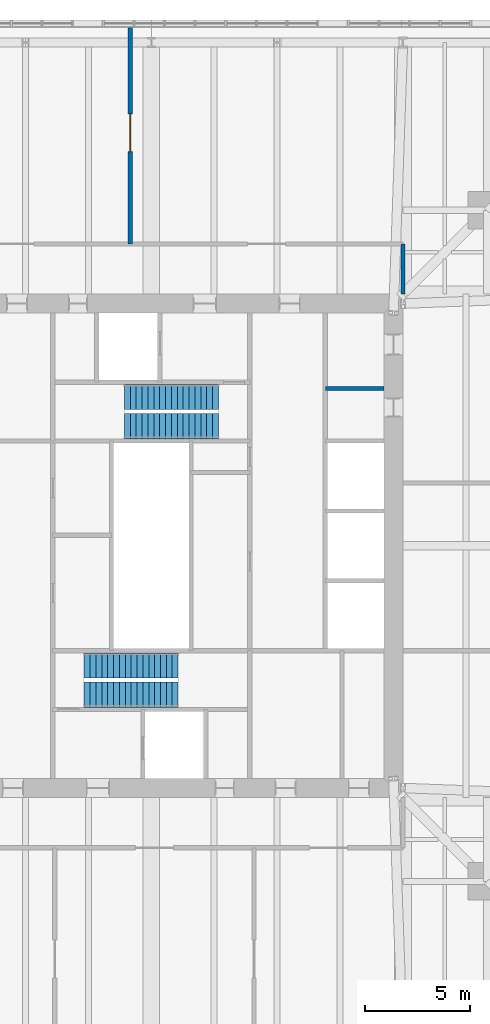
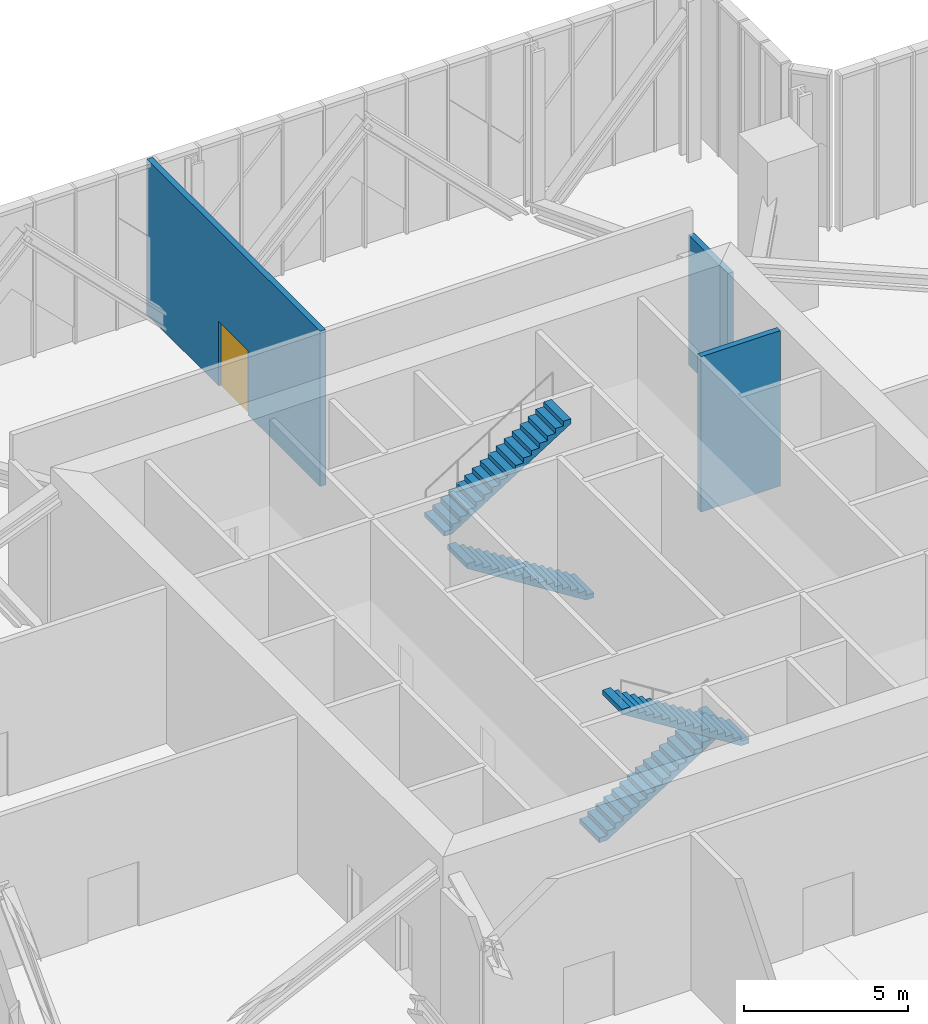
# One storey, part 13 of 18: 4 stair flights, 3 walls, 1 door, 1 opening, 2 elements without a shape of their own.
"""IFC4 building model written with IfcOpenShell, lengths in metres."""

import ifcopenshell
import ifcopenshell.guid

model = None  # the IFC model being written
_history = None  # IfcOwnerHistory: only IFC2X3 demands one
_inside = {}  # id of a spatial element -> (the spatial element, [elements in it])
_under = {}  # id of a project, library or spatial element -> (it, [spatial elements below it])
_declared = {}  # id of a project -> (the project, [libraries it declares])
_typed = {}  # id of a type object -> (the type object, [elements of that type])
_made_of = {}  # id of a material, layer set ... -> (it, [elements and type objects made of it])


def new_model(schema):
    """Start an empty IFC model of exactly this schema.

    Asked for "IFC4X3", IfcOpenShell would pick the latest addendum, in which some entities
    have other attributes; the version numbers below select the first issue.
    IFC2X3 requires an IfcOwnerHistory on every rooted entity: one is made here for all.
    """
    global model, _history
    if schema == "IFC4X3":
        model = ifcopenshell.file(schema_version=(4, 3, 0, 0))
    else:
        model = ifcopenshell.file(schema=schema)
    _inside.clear()
    _under.clear()
    _declared.clear()
    _typed.clear()
    _made_of.clear()
    _history = None
    if model.schema == "IFC2X3":
        org = make("IfcOrganization", Name="unknown")
        user = make(
            "IfcPersonAndOrganization",
            ThePerson=make("IfcPerson", FamilyName="unknown"),
            TheOrganization=org,
        )
        app = make(
            "IfcApplication",
            ApplicationDeveloper=org,
            Version="unknown",
            ApplicationFullName="unknown",
            ApplicationIdentifier="unknown",
        )
        _history = make(
            "IfcOwnerHistory",
            OwningUser=user,
            OwningApplication=app,
            ChangeAction="ADDED",
            CreationDate=0,
        )
    return model


def make(cls, **values):
    """One entity of the class cls with the attributes given. An attribute that is None is left unset."""
    return model.create_entity(
        cls, **{name: value for name, value in values.items() if value is not None}
    )


def rooted(cls, **values):
    """An entity with a GlobalId (a new one), such as an element, a storey or a relation."""
    return make(cls, GlobalId=ifcopenshell.guid.new(), OwnerHistory=_history, **values)


def si_unit(unit_type, name, prefix=None):
    """IfcSIUnit, for example si_unit("LENGTHUNIT", "METRE", prefix="MILLI")."""
    return make("IfcSIUnit", UnitType=unit_type, Prefix=prefix, Name=name)


def assignment(units):
    """IfcUnitAssignment: the units of a project."""
    return None if units is None else make("IfcUnitAssignment", Units=units)


def point(xyz):
    """IfcCartesianPoint."""
    return None if xyz is None else make("IfcCartesianPoint", Coordinates=xyz)


def direction(xyz):
    """IfcDirection."""
    return None if xyz is None else make("IfcDirection", DirectionRatios=xyz)


def frame(location, z_axis=None, x_axis=None):
    """IfcAxis2Placement3D, a coordinate frame: its origin and axes. An axis left out is left unset."""
    return make(
        "IfcAxis2Placement3D",
        Location=point(location),
        Axis=direction(z_axis),
        RefDirection=direction(x_axis),
    )


def frame_2d(location, x_axis=None):
    """IfcAxis2Placement2D, a coordinate frame in the plane: its origin and x axis."""
    return make(
        "IfcAxis2Placement2D", Location=point(location), RefDirection=direction(x_axis)
    )


def origin():
    """The frame at (0, 0, 0) with its axes left unset."""
    return frame((0.0, 0.0, 0.0))


def place(relative_to, where):
    """IfcLocalPlacement: puts the frame where relative to a parent placement (None: the world)."""
    return make(
        "IfcLocalPlacement", PlacementRelTo=relative_to, RelativePlacement=where
    )


def context(
    kind, dimensions, precision=None, world=None, true_north=None, identifier=None
):
    """IfcGeometricRepresentationContext, for example the 3D "Model" context."""
    return make(
        "IfcGeometricRepresentationContext",
        ContextIdentifier=identifier,
        ContextType=kind,
        CoordinateSpaceDimension=dimensions,
        Precision=precision,
        WorldCoordinateSystem=world,
        TrueNorth=true_north,
    )


def subcontext(parent, identifier, kind, view, scale=None):
    """IfcGeometricRepresentationSubContext, for example "Body" below "Model"."""
    return make(
        "IfcGeometricRepresentationSubContext",
        ContextIdentifier=identifier,
        ContextType=kind,
        ParentContext=parent,
        TargetScale=scale,
        TargetView=view,
    )


def project(units=None, contexts=None):
    """IfcProject with its units and contexts."""
    return rooted(
        "IfcProject",
        Name="project",
        RepresentationContexts=contexts,
        UnitsInContext=assignment(units),
    )


def spatial(cls, under=None, at=None, **own):
    """A site, building, storey or space (cls), placed at a placement, below another one or the project."""
    s = rooted(cls, ObjectPlacement=at, **own)
    if under is not None:
        _under.setdefault(under.id(), (under, []))[1].append(s)
    return s


def polyline(points):
    """IfcPolyline through the points."""
    return make("IfcPolyline", Points=[point(p) for p in points])


def profile(cls, at=None, kind="AREA", **sizes):
    """A parametric profile (cls). Its sizes go by their IFC names, for example OverallWidth=200.0."""
    return make(cls, ProfileType=kind, Position=at, **sizes)


def rectangle(**sizes):
    """IfcRectangleProfileDef."""
    return profile("IfcRectangleProfileDef", **sizes)


def outline(outer, holes=None, kind="AREA"):
    """IfcArbitraryClosedProfileDef: a profile drawn as a closed curve; with holes, ...WithVoids."""
    if holes is None:
        return make("IfcArbitraryClosedProfileDef", ProfileType=kind, OuterCurve=outer)
    return make(
        "IfcArbitraryProfileDefWithVoids",
        ProfileType=kind,
        OuterCurve=outer,
        InnerCurves=holes,
    )


def extrude(swept, where, along, depth):
    """IfcExtrudedAreaSolid: the profile swept, set in the frame where, extruded along a direction by depth."""
    return make(
        "IfcExtrudedAreaSolid",
        SweptArea=swept,
        Position=where,
        ExtrudedDirection=direction(along),
        Depth=depth,
    )


def shape(context_of_items, identifier, shape_type, items):
    """IfcShapeRepresentation: the items that make up one representation, for example the "Body"."""
    return make(
        "IfcShapeRepresentation",
        ContextOfItems=context_of_items,
        RepresentationIdentifier=identifier,
        RepresentationType=shape_type,
        Items=items,
    )


def material(Name=None, Category=None):
    """IfcMaterial."""
    return make("IfcMaterial", Name=Name, Category=Category)


def layer(
    of_material, thickness, ventilated=None, Name=None, Category=None, Priority=None
):
    """IfcMaterialLayer: one layer of a wall or slab, of a material (None: an air gap)."""
    return make(
        "IfcMaterialLayer",
        Material=of_material,
        LayerThickness=thickness,
        IsVentilated=ventilated,
        Name=Name,
        Category=Category,
        Priority=Priority,
    )


def layer_set(layers, Name=None):
    """IfcMaterialLayerSet."""
    return make("IfcMaterialLayerSet", MaterialLayers=layers, LayerSetName=Name)


def made_of(thing, what):
    """Note that an element or type object is made of a material, layer set ...; save() writes the relation."""
    if what is not None:
        _made_of.setdefault(what.id(), (what, []))[1].append(thing)
    return thing


def type_object(cls, material=None, **own):
    """A type object (cls), such as IfcWallType, which elements share."""
    return made_of(rooted(cls, **own), material)


def element(
    cls,
    number,
    at=None,
    inside=None,
    cuts=None,
    type_object=None,
    material=None,
    context=None,
    identifier="Body",
    shape_type=None,
    held_by="IfcProductDefinitionShape",
    body=None,
    shapes=None,
    **own,
):
    """One element of the class cls, such as IfcWall. Its Tag is "e" and its number.

    at: its placement. inside: the storey or other place that contains it. cuts: it is an
    opening in that element (IfcRelVoidsElement). A single representation is given by context,
    identifier, shape_type and body (its items); several are given by shapes. held_by: the class
    of the entity that holds the representations. save() writes the other relations.
    """
    e = rooted(cls, Tag="e%d" % number, ObjectPlacement=at, **own)
    if body is not None:
        shapes = [shape(context, identifier, shape_type, body)]
    if shapes is not None:
        e.Representation = make(held_by, Representations=shapes)
    if inside is not None:
        _inside.setdefault(inside.id(), (inside, []))[1].append(e)
    if cuts is not None:
        rooted(
            "IfcRelVoidsElement", RelatingBuildingElement=cuts, RelatedOpeningElement=e
        )
    if type_object is not None:
        _typed.setdefault(type_object.id(), (type_object, []))[1].append(e)
    return made_of(e, material)


def fill(opening, filler):
    """IfcRelFillsElement: the door or window that sits in an opening."""
    return rooted(
        "IfcRelFillsElement",
        RelatingOpeningElement=opening,
        RelatedBuildingElement=filler,
    )


def aggregate(whole, parts):
    """IfcRelAggregates: a whole, such as a stair, and the parts it consists of."""
    return rooted("IfcRelAggregates", RelatingObject=whole, RelatedObjects=parts)


def save(model, path):
    """Write the relations noted so far, then the file.

    IfcRelAggregates (storeys below a building ...), IfcRelContainedInSpatialStructure (elements
    in a storey), IfcRelDefinesByType, IfcRelAssociatesMaterial and IfcRelDeclares: one each for
    every whole, place, type object, material and project.
    """
    for whole, parts in _under.values():
        aggregate(whole, parts)
    for where, things in _inside.values():
        rooted(
            "IfcRelContainedInSpatialStructure",
            RelatedElements=things,
            RelatingStructure=where,
        )
    for kind, things in _typed.values():
        rooted("IfcRelDefinesByType", RelatedObjects=things, RelatingType=kind)
    for what, things in _made_of.values():
        rooted("IfcRelAssociatesMaterial", RelatedObjects=things, RelatingMaterial=what)
    for by, libraries in _declared.values():
        rooted("IfcRelDeclares", RelatingContext=by, RelatedDefinitions=libraries)
    model.write(path)


model = new_model("IFC4")

# Units and contexts
model_context = context("Model", 3, precision=1e-05, world=origin(), true_north=direction((0.0, 1.0)))
body_context = subcontext(model_context, "Body", "Model", "MODEL_VIEW")
ifc_project = project(units=[si_unit("LENGTHUNIT", "METRE"), si_unit("AREAUNIT", "SQUARE_METRE"), si_unit("VOLUMEUNIT", "CUBIC_METRE"), si_unit("PLANEANGLEUNIT", "RADIAN"), si_unit("MASSUNIT", "GRAM", prefix="KILO")], contexts=[model_context])

# Site, building, storey
site_placement = place(None, origin())
site = spatial("IfcSite", under=ifc_project, at=site_placement, CompositionType="ELEMENT")
building_placement = place(site_placement, origin())
building = spatial("IfcBuilding", under=site, at=building_placement, Name="Fenwick Lantern Interchange", CompositionType="ELEMENT")
storey_placement = place(building_placement, frame((0.0, 0.0, 301.800048828125)))
storey = spatial("IfcBuildingStorey", under=building, at=storey_placement, Name="L73", CompositionType="ELEMENT", Elevation=301.800048828125)

# Walls
ifc_material_1 = material(Name="Concrete masonry ASTM C90 Grade N", Category="masonry")
ifc_layer_1 = layer(ifc_material_1, 0.199951171875)
ifc_layer_set_1 = layer_set([ifc_layer_1], Name="Concrete masonry ASTM C90 Grade N")
wall_type_1 = type_object("IfcWallType", Name="CORE PARTITION 200", PredefinedType="PARTITIONING", material=ifc_layer_set_1)
wall_1_placement = place(storey_placement, frame((36.10009765625, 32.5, 0.0), z_axis=(0.0, 0.0, 1.0), x_axis=(-1.0, 0.0, 0.0)))
element("IfcWall", 1, at=wall_1_placement, inside=storey, type_object=wall_type_1, Name="L73/W/COREN/p1", PredefinedType="PARTITIONING", context=body_context, shape_type="SweptSolid", body=[
    extrude(rectangle(XDim=2.800048828125, YDim=0.199951171875, at=frame_2d((1.39990234375, 0.0))), origin(), (0.0, 0.0, 1.0), 5.800048828125),
])
ifc_layer_2 = layer(ifc_material_1, 0.199951171875)
ifc_layer_set_2 = layer_set([ifc_layer_2], Name="Concrete masonry ASTM C90 Grade N")
wall_type_2 = type_object("IfcWallType", Name="PLANT ROOM WALL 200", PredefinedType="PARTITIONING", material=ifc_layer_set_2)
wall_2_placement = place(storey_placement, frame((37.0, 37.0, 0.0), z_axis=(0.0, 0.0, 1.0), x_axis=(0.0, 1.0, 0.0)))
element("IfcWall", 2, at=wall_2_placement, inside=storey, type_object=wall_type_2, Name="L73/W/FLOOR/PCN-B", PredefinedType="PARTITIONING", context=body_context, shape_type="SweptSolid", body=[
    extrude(rectangle(XDim=2.39990234375, YDim=0.199951171875, at=frame_2d((1.199951171875, 0.0))), origin(), (0.0, 0.0, 1.0), 4.8525390625),
])

# Wall, opening, door
wall_3_placement = place(storey_placement, frame((24.0, 39.39990234375, 0.0), z_axis=(0.0, 0.0, 1.0), x_axis=(0.0, 1.0, 0.0)))
wall_3 = element("IfcWall", 3, at=wall_3_placement, inside=storey, type_object=wall_type_2, Name="L73/W/FLOOR/PW5", PredefinedType="PARTITIONING", context=body_context, shape_type="SweptSolid", body=[
    extrude(rectangle(XDim=10.60009765625, YDim=0.199951171875, at=frame_2d((5.300048828125, 0.0))), origin(), (0.0, 0.0, 1.0), 5.800048828125),
])
opening_placement = place(wall_3_placement, frame((4.39990234375, 0.0, 0.0)))
opening = element("IfcOpeningElement", 4, at=opening_placement, cuts=wall_3, Name="Opening L73-D027", PredefinedType="OPENING", context=body_context, shape_type="SweptSolid", body=[
    extrude(rectangle(XDim=1.800048828125, YDim=2.39990234375, at=frame_2d((0.89990234375, 1.199951171875))), frame((0.0, 0.10986328125, 0.0), z_axis=(0.0, -1.0, 0.0), x_axis=(1.0, 0.0, 0.0)), (0.0, 0.0, 1.0), 0.219970703125),
])
ifc_material_2 = material(Name="Steel door and frame", Category="steel")
door_type = type_object("IfcDoorType", Name="ROOM DOOR PAIR 1800 X 2400", OperationType="DOUBLE_DOOR_SINGLE_SWING", PredefinedType="DOOR", material=ifc_material_2)
door_placement = place(opening_placement, origin())
door = element("IfcDoor", 5, at=door_placement, inside=storey, type_object=door_type, Name="Room door pair", OperationType="DOUBLE_DOOR_SINGLE_SWING", OverallHeight=2.39990234375, OverallWidth=1.800048828125, PredefinedType="DOOR", context=body_context, shape_type="SweptSolid", body=[
    extrude(rectangle(XDim=1.800048828125, YDim=2.39990234375, at=frame_2d((0.89990234375, 1.199951171875))), frame((0.0, 0.02490234375, 0.0), z_axis=(0.0, -1.0, 0.0), x_axis=(1.0, 0.0, 0.0)), (0.0, 0.0, 1.0), 0.050048828125),
])
fill(opening, door)

# Stair, stair flights
ifc_material_3 = material(Name="Precast concrete f'c 35 MPa", Category="concrete")
stair_type = type_object("IfcStairType", Name="EXIT STAIR 1200", PredefinedType="HALF_TURN_STAIR", material=ifc_material_3)
stair_1_placement = place(storey_placement, origin())
stair_1 = element("IfcStair", 6, at=stair_1_placement, inside=storey, type_object=stair_type, Name="Exit stair ST1", PredefinedType="HALF_TURN_STAIR")
stair_flight_type = type_object("IfcStairFlightType", Name="STAIR FLIGHT 1200", PredefinedType="STRAIGHT", material=ifc_material_3)
stair_flight_1_placement = place(storey_placement, frame((21.800048828125, 19.300048828125, 0.0), z_axis=(0.0, 0.0, 1.0), x_axis=(1.0, 0.0, 0.0)))
stair_flight_1 = element("IfcStairFlight", 7, at=stair_flight_1_placement, type_object=stair_flight_type, Name="ST1 flight 1", NumberOfRisers=17, NumberOfTreads=16, PredefinedType="STRAIGHT", RiserHeight=0.176470588, TreadLength=0.28, context=body_context, shape_type="SweptSolid", body=[
    extrude(outline(polyline([(0.0, 0.0), (0.0, 0.176513671875), (0.280029296875, 0.176513671875), (0.280029296875, 0.35302734375), (0.56005859375, 0.35302734375), (0.56005859375, 0.529296875), (0.840087890625, 0.529296875), (0.840087890625, 0.705810546875), (1.1201171875, 0.705810546875), (1.1201171875, 0.88232421875), (1.39990234375, 0.88232421875), (1.39990234375, 1.058837890625), (1.679931640625, 1.058837890625), (1.679931640625, 1.2353515625), (1.9599609375, 1.2353515625), (1.9599609375, 1.411865234375), (2.239990234375, 1.411865234375), (2.239990234375, 1.588134765625), (2.52001953125, 1.588134765625), (2.52001953125, 1.7646484375), (2.800048828125, 1.7646484375), (2.800048828125, 1.941162109375), (3.080078125, 1.941162109375), (3.080078125, 2.11767578125), (3.360107421875, 2.11767578125), (3.360107421875, 2.294189453125), (3.639892578125, 2.294189453125), (3.639892578125, 2.470703125), (3.919921875, 2.470703125), (3.919921875, 2.64697265625), (4.199951171875, 2.64697265625), (4.199951171875, 2.823486328125), (4.47998046875, 2.823486328125), (4.47998046875, 3.0), (4.47998046875, 2.646240234375), (0.28125, 0.0), (0.0, 0.0)])), frame((0.0, 0.60009765625, 0.0), z_axis=(0.0, -1.0, 0.0), x_axis=(1.0, 0.0, 0.0)), (0.0, 0.0, 1.0), 1.199951171875),
])
stair_flight_2_placement = place(storey_placement, frame((26.280029296875, 17.89990234375, 3.0), z_axis=(0.0, 0.0, 1.0), x_axis=(-1.0, 0.0, 0.0)))
stair_flight_2 = element("IfcStairFlight", 8, at=stair_flight_2_placement, type_object=stair_flight_type, Name="ST1 flight 2", NumberOfRisers=17, NumberOfTreads=16, PredefinedType="STRAIGHT", RiserHeight=0.176470588, TreadLength=0.28, context=body_context, shape_type="SweptSolid", body=[
    extrude(outline(polyline([(0.0, 0.0), (0.0, 0.176513671875), (0.280029296875, 0.176513671875), (0.280029296875, 0.35302734375), (0.56005859375, 0.35302734375), (0.56005859375, 0.529296875), (0.840087890625, 0.529296875), (0.840087890625, 0.705810546875), (1.1201171875, 0.705810546875), (1.1201171875, 0.88232421875), (1.39990234375, 0.88232421875), (1.39990234375, 1.058837890625), (1.679931640625, 1.058837890625), (1.679931640625, 1.2353515625), (1.9599609375, 1.2353515625), (1.9599609375, 1.411865234375), (2.239990234375, 1.411865234375), (2.239990234375, 1.588134765625), (2.52001953125, 1.588134765625), (2.52001953125, 1.7646484375), (2.800048828125, 1.7646484375), (2.800048828125, 1.941162109375), (3.080078125, 1.941162109375), (3.080078125, 2.11767578125), (3.360107421875, 2.11767578125), (3.360107421875, 2.294189453125), (3.639892578125, 2.294189453125), (3.639892578125, 2.470703125), (3.919921875, 2.470703125), (3.919921875, 2.64697265625), (4.199951171875, 2.64697265625), (4.199951171875, 2.823486328125), (4.47998046875, 2.823486328125), (4.47998046875, 3.0), (4.47998046875, 2.646240234375), (0.28125, 0.0), (0.0, 0.0)])), frame((0.0, 0.60009765625, 0.0), z_axis=(0.0, -1.0, 0.0), x_axis=(1.0, 0.0, 0.0)), (0.0, 0.0, 1.0), 1.199951171875),
])
aggregate(stair_1, [stair_flight_1, stair_flight_2])

stair_2_placement = place(storey_placement, origin())
stair_2 = element("IfcStair", 9, at=stair_2_placement, inside=storey, type_object=stair_type, Name="Exit stair ST2", PredefinedType="HALF_TURN_STAIR")
stair_flight_3_placement = place(storey_placement, frame((28.199951171875, 30.699951171875, 0.0), z_axis=(0.0, 0.0, 1.0), x_axis=(-1.0, 0.0, 0.0)))
stair_flight_3 = element("IfcStairFlight", 10, at=stair_flight_3_placement, type_object=stair_flight_type, Name="ST2 flight 1", NumberOfRisers=17, NumberOfTreads=16, PredefinedType="STRAIGHT", RiserHeight=0.176470588, TreadLength=0.28, context=body_context, shape_type="SweptSolid", body=[
    extrude(outline(polyline([(0.0, 0.0), (0.0, 0.176513671875), (0.280029296875, 0.176513671875), (0.280029296875, 0.35302734375), (0.56005859375, 0.35302734375), (0.56005859375, 0.529296875), (0.840087890625, 0.529296875), (0.840087890625, 0.705810546875), (1.1201171875, 0.705810546875), (1.1201171875, 0.88232421875), (1.39990234375, 0.88232421875), (1.39990234375, 1.058837890625), (1.679931640625, 1.058837890625), (1.679931640625, 1.2353515625), (1.9599609375, 1.2353515625), (1.9599609375, 1.411865234375), (2.239990234375, 1.411865234375), (2.239990234375, 1.588134765625), (2.52001953125, 1.588134765625), (2.52001953125, 1.7646484375), (2.800048828125, 1.7646484375), (2.800048828125, 1.941162109375), (3.080078125, 1.941162109375), (3.080078125, 2.11767578125), (3.360107421875, 2.11767578125), (3.360107421875, 2.294189453125), (3.639892578125, 2.294189453125), (3.639892578125, 2.470703125), (3.919921875, 2.470703125), (3.919921875, 2.64697265625), (4.199951171875, 2.64697265625), (4.199951171875, 2.823486328125), (4.47998046875, 2.823486328125), (4.47998046875, 3.0), (4.47998046875, 2.646240234375), (0.28125, 0.0), (0.0, 0.0)])), frame((0.0, 0.60009765625, 0.0), z_axis=(0.0, -1.0, 0.0), x_axis=(1.0, 0.0, 0.0)), (0.0, 0.0, 1.0), 1.199951171875),
])
stair_flight_4_placement = place(storey_placement, frame((23.719970703125, 32.10009765625, 3.0), z_axis=(0.0, 0.0, 1.0), x_axis=(1.0, 0.0, 0.0)))
stair_flight_4 = element("IfcStairFlight", 11, at=stair_flight_4_placement, type_object=stair_flight_type, Name="ST2 flight 2", NumberOfRisers=17, NumberOfTreads=16, PredefinedType="STRAIGHT", RiserHeight=0.176470588, TreadLength=0.28, context=body_context, shape_type="SweptSolid", body=[
    extrude(outline(polyline([(0.0, 0.0), (0.0, 0.176513671875), (0.280029296875, 0.176513671875), (0.280029296875, 0.35302734375), (0.56005859375, 0.35302734375), (0.56005859375, 0.529296875), (0.840087890625, 0.529296875), (0.840087890625, 0.705810546875), (1.1201171875, 0.705810546875), (1.1201171875, 0.88232421875), (1.39990234375, 0.88232421875), (1.39990234375, 1.058837890625), (1.679931640625, 1.058837890625), (1.679931640625, 1.2353515625), (1.9599609375, 1.2353515625), (1.9599609375, 1.411865234375), (2.239990234375, 1.411865234375), (2.239990234375, 1.588134765625), (2.52001953125, 1.588134765625), (2.52001953125, 1.7646484375), (2.800048828125, 1.7646484375), (2.800048828125, 1.941162109375), (3.080078125, 1.941162109375), (3.080078125, 2.11767578125), (3.360107421875, 2.11767578125), (3.360107421875, 2.294189453125), (3.639892578125, 2.294189453125), (3.639892578125, 2.470703125), (3.919921875, 2.470703125), (3.919921875, 2.64697265625), (4.199951171875, 2.64697265625), (4.199951171875, 2.823486328125), (4.47998046875, 2.823486328125), (4.47998046875, 3.0), (4.47998046875, 2.646240234375), (0.28125, 0.0), (0.0, 0.0)])), frame((0.0, 0.60009765625, 0.0), z_axis=(0.0, -1.0, 0.0), x_axis=(1.0, 0.0, 0.0)), (0.0, 0.0, 1.0), 1.199951171875),
])
aggregate(stair_2, [stair_flight_3, stair_flight_4])

save(model, "model.ifc")
